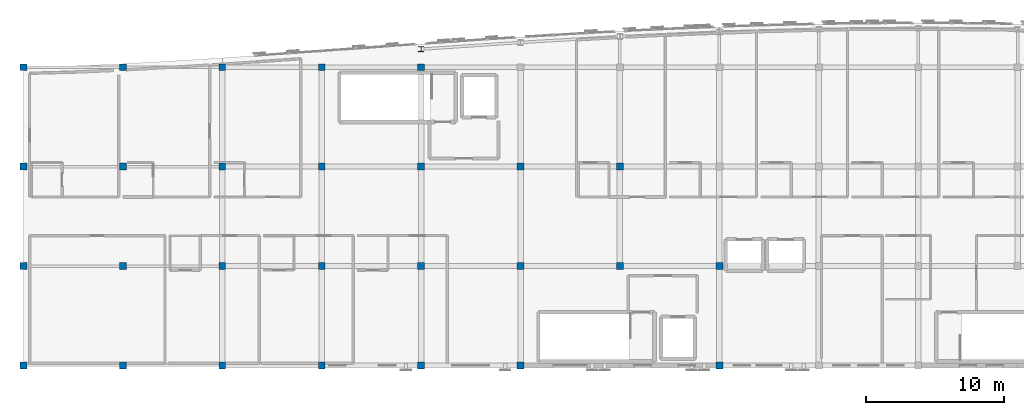
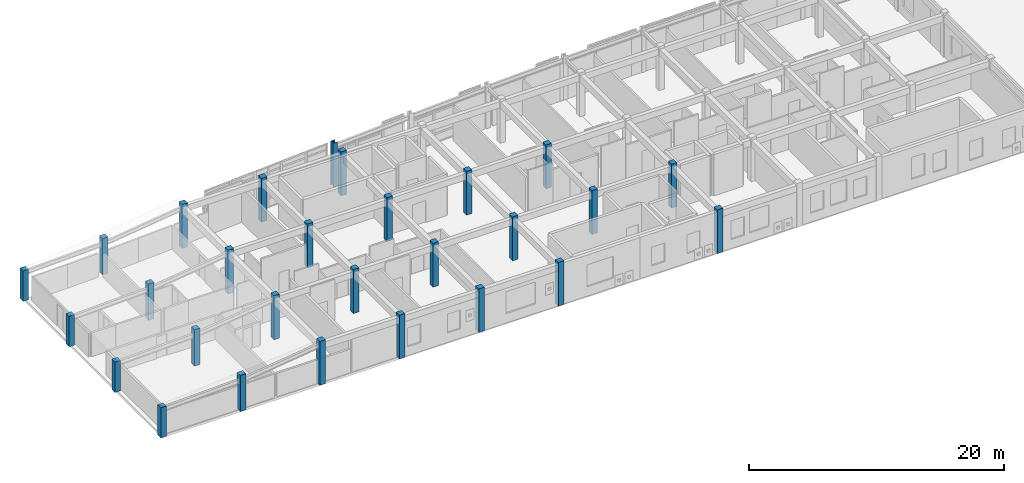
# One storey, part 1 of 24: 28 columns.
"""IFC4 building model written with IfcOpenShell, lengths in metres."""

from ifc_helpers import new_model, si_unit, direction, frame, origin, origin_2d, place, context, subcontext, project, spatial, rectangle, i_section, extrude, material, material_profile, profile_set, type_object, element, save


model = new_model("IFC4")

# Units and contexts
model_context = context("Model", 3, precision=1e-05, world=origin(), true_north=direction((0.0, 1.0)))
body_context = subcontext(model_context, "Body", "Model", "MODEL_VIEW")
ifc_project = project(units=[si_unit("LENGTHUNIT", "METRE"), si_unit("AREAUNIT", "SQUARE_METRE"), si_unit("VOLUMEUNIT", "CUBIC_METRE"), si_unit("PLANEANGLEUNIT", "RADIAN"), si_unit("MASSUNIT", "GRAM", prefix="KILO")], contexts=[model_context])

# Site, building, storey
site_placement = place(None, origin())
site = spatial("IfcSite", under=ifc_project, at=site_placement, CompositionType="ELEMENT")
building_placement = place(site_placement, origin())
building = spatial("IfcBuilding", under=site, at=building_placement, Name="Carrowvane Square Congress Hotel", CompositionType="ELEMENT")
storey_placement = place(building_placement, frame((0.0, 0.0, 44.39990234375)))
storey = spatial("IfcBuildingStorey", under=building, at=storey_placement, Name="L11", CompositionType="ELEMENT", Elevation=44.39990234375)

# Columns
ifc_material_1 = material(Name="Concrete C40/50", Category="concrete")
ifc_material_profile_1 = material_profile(ifc_material_1, rectangle(XDim=0.5, YDim=0.5, at=origin_2d()), Name="RC 500x500")
ifc_profile_set_1 = profile_set([ifc_material_profile_1], Name="Concrete C40/50")
column_type_1 = type_object("IfcColumnType", Name="COL-RC-500", PredefinedType="COLUMN", material=ifc_profile_set_1)
for number, where, z_axis, x_axis, name in (
    (1, (33.199951171875, 91.800048828125, 0.0), (0.0, 0.0, 1.0), (1.0, 0.0, 0.0), "L11 column 4/N"),
    (2, (33.199951171875, 99.0, 0.0), (0.0, 0.0, 1.0), (1.0, 0.0, 0.0), "L11 column 4/P"),
    (3, (33.199951171875, 106.199951171875, 0.0), (0.0, 0.0, 1.0), (1.0, 0.0, 0.0), "L11 column 4/Q"),
    (4, (33.199951171875, 113.39990234375, 0.0), (0.0, 0.0, 1.0), (1.0, 0.0, 0.0), "L11 column 4/R"),
):
    element("IfcColumn", number, at=place(storey_placement, frame(where, z_axis=z_axis, x_axis=x_axis)), inside=storey, type_object=column_type_1, Name=name, PredefinedType="COLUMN", context=body_context, shape_type="SweptSolid", body=[
        extrude(rectangle(XDim=0.5, YDim=0.5, at=origin_2d()), origin(), (0.0, 0.0, 1.0), 2.900146484375),
    ])
for number, where, z_axis, x_axis, name in (
    (5, (40.39990234375, 91.800048828125, 0.0), (0.0, 0.0, 1.0), (1.0, 0.0, 0.0), "L11 column 5/N"),
    (6, (40.39990234375, 99.0, 0.0), (0.0, 0.0, 1.0), (1.0, 0.0, 0.0), "L11 column 5/P"),
    (7, (40.39990234375, 106.199951171875, 0.0), (0.0, 0.0, 1.0), (1.0, 0.0, 0.0), "L11 column 5/Q"),
    (8, (40.39990234375, 113.39990234375, 0.0), (0.0, 0.0, 1.0), (1.0, 0.0, 0.0), "L11 column 5/R"),
):
    element("IfcColumn", number, at=place(storey_placement, frame(where, z_axis=z_axis, x_axis=x_axis)), inside=storey, type_object=column_type_1, Name=name, PredefinedType="COLUMN", context=body_context, shape_type="SweptSolid", body=[
        extrude(rectangle(XDim=0.5, YDim=0.5, at=origin_2d()), origin(), (0.0, 0.0, 1.0), 3.47509765625),
    ])
for number, where, z_axis, x_axis, name in (
    (9, (47.60009765625, 91.800048828125, 0.0), (0.0, 0.0, 1.0), (1.0, 0.0, 0.0), "L11 column 6/N"),
    (10, (47.60009765625, 99.0, 0.0), (0.0, 0.0, 1.0), (1.0, 0.0, 0.0), "L11 column 6/P"),
    (11, (47.60009765625, 106.199951171875, 0.0), (0.0, 0.0, 1.0), (1.0, 0.0, 0.0), "L11 column 6/Q"),
    (12, (47.60009765625, 113.39990234375, 0.0), (0.0, 0.0, 1.0), (1.0, 0.0, 0.0), "L11 column 6/R"),
    (13, (54.800048828125, 91.800048828125, 0.0), (0.0, 0.0, 1.0), (1.0, 0.0, 0.0), "L11 column 7/N"),
    (14, (54.800048828125, 99.0, 0.0), (0.0, 0.0, 1.0), (1.0, 0.0, 0.0), "L11 column 7/P"),
    (15, (54.800048828125, 106.199951171875, 0.0), (0.0, 0.0, 1.0), (1.0, 0.0, 0.0), "L11 column 7/Q"),
    (16, (54.800048828125, 113.39990234375, 0.0), (0.0, 0.0, 1.0), (1.0, 0.0, 0.0), "L11 column 7/R"),
    (17, (62.0, 91.800048828125, 0.0), (0.0, 0.0, 1.0), (1.0, 0.0, 0.0), "L11 column 8/N"),
    (18, (62.0, 99.0, 0.0), (0.0, 0.0, 1.0), (1.0, 0.0, 0.0), "L11 column 8/P"),
    (19, (62.0, 106.199951171875, 0.0), (0.0, 0.0, 1.0), (1.0, 0.0, 0.0), "L11 column 8/Q"),
    (20, (62.0, 113.39990234375, 0.0), (0.0, 0.0, 1.0), (1.0, 0.0, 0.0), "L11 column 8/R"),
    (21, (69.199951171875, 91.800048828125, 0.0), (0.0, 0.0, 1.0), (1.0, 0.0, 0.0), "L11 column 9/N"),
    (22, (69.199951171875, 99.0, 0.0), (0.0, 0.0, 1.0), (1.0, 0.0, 0.0), "L11 column 9/P"),
    (23, (69.199951171875, 106.199951171875, 0.0), (0.0, 0.0, 1.0), (1.0, 0.0, 0.0), "L11 column 9/Q"),
    (24, (76.39990234375, 99.0, 0.0), (0.0, 0.0, 1.0), (1.0, 0.0, 0.0), "L11 column 10/P"),
    (25, (76.39990234375, 106.199951171875, 0.0), (0.0, 0.0, 1.0), (1.0, 0.0, 0.0), "L11 column 10/Q"),
    (26, (83.60009765625, 91.800048828125, 0.0), (0.0, 0.0, 1.0), (1.0, 0.0, 0.0), "L11 column 11/N"),
    (27, (83.60009765625, 99.0, 0.0), (0.0, 0.0, 1.0), (1.0, 0.0, 0.0), "L11 column 11/P"),
):
    element("IfcColumn", number, at=place(storey_placement, frame(where, z_axis=z_axis, x_axis=x_axis)), inside=storey, type_object=column_type_1, Name=name, PredefinedType="COLUMN", context=body_context, shape_type="SweptSolid", body=[
        extrude(rectangle(XDim=0.5, YDim=0.5, at=origin_2d()), origin(), (0.0, 0.0, 1.0), 4.2001953125),
    ])
ifc_material_2 = material(Name="Steel S355", Category="steel")
ifc_material_profile_2 = material_profile(ifc_material_2, i_section(OverallWidth=0.394775390625, OverallDepth=0.381103515625, WebThickness=0.018310546875, FlangeThickness=0.0302734375, FilletRadius=0.01513671875, at=origin_2d()), Name="UKC 356x406x235")
ifc_profile_set_2 = profile_set([ifc_material_profile_2], Name="Steel S355")
column_type_2 = type_object("IfcColumnType", Name="COL-ST-UKC406", PredefinedType="COLUMN", material=ifc_profile_set_2)
column_placement = place(storey_placement, frame((62.0, 114.7060546875, 0.0), z_axis=(0.0, 0.0, 1.0), x_axis=(1.0, 0.0, 0.0)))
element("IfcColumn", 28, at=column_placement, inside=storey, type_object=column_type_2, Name="L11 column 8/ARC", PredefinedType="COLUMN", context=body_context, shape_type="SweptSolid", body=[
    extrude(i_section(OverallWidth=0.394775390625, OverallDepth=0.381103515625, WebThickness=0.018310546875, FlangeThickness=0.0302734375, FilletRadius=0.01513671875, at=origin_2d()), origin(), (0.0, 0.0, 1.0), 4.2001953125),
])

save(model, "model.ifc")
